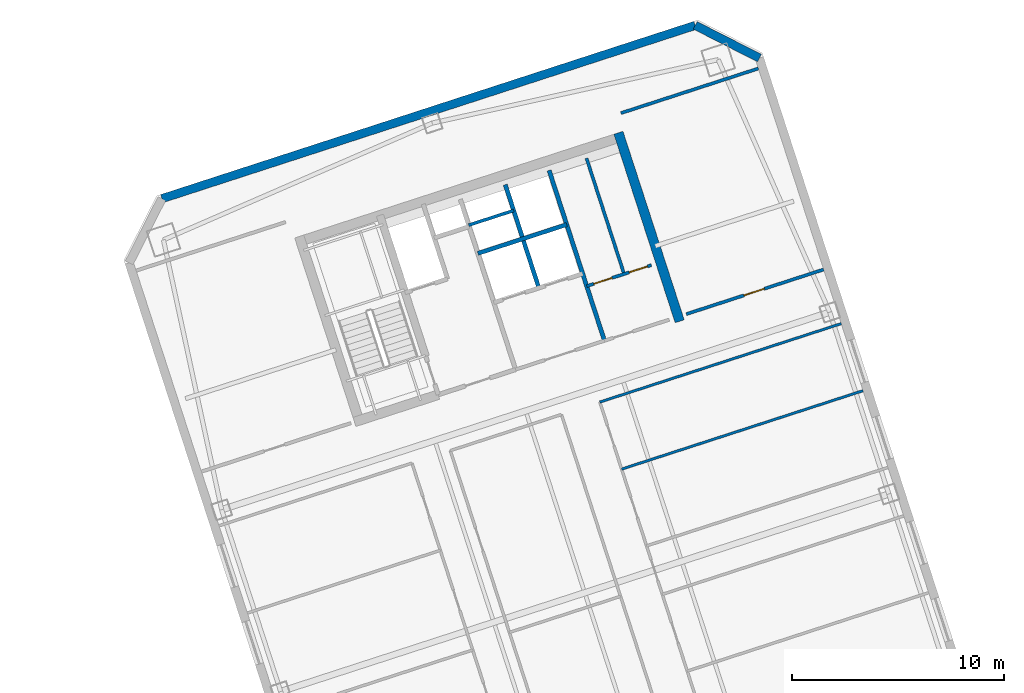
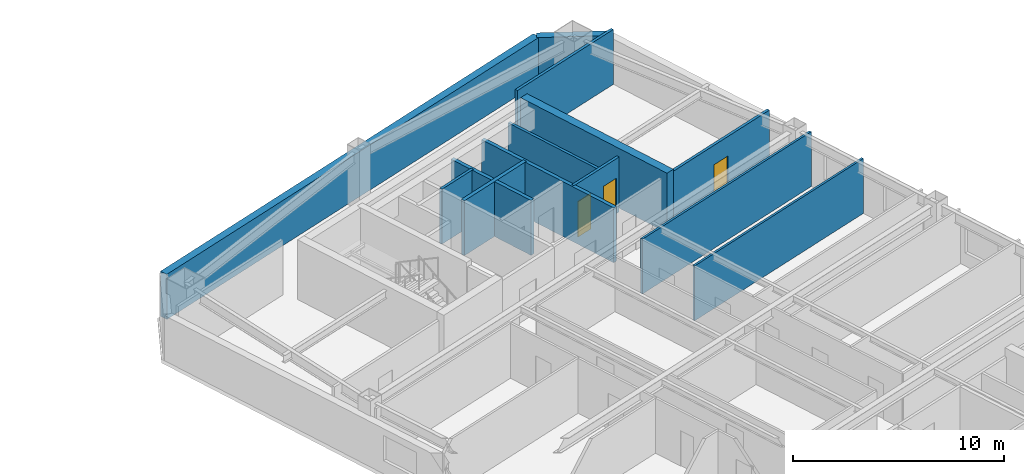
# One storey, part 10 of 13: 13 walls, 3 doors, 3 openings.
"""IFC4 building model written with IfcOpenShell, lengths in metres."""

from ifc_helpers import new_model, si_unit, direction, frame, frame_2d, origin, place, context, subcontext, project, spatial, rectangle, extrude, material, layer, layer_set, type_object, element, fill, save


model = new_model("IFC4")

# Units and contexts
model_context = context("Model", 3, precision=1e-05, world=origin(), true_north=direction((0.0, 1.0)))
body_context = subcontext(model_context, "Body", "Model", "MODEL_VIEW")
ifc_project = project(units=[si_unit("LENGTHUNIT", "METRE"), si_unit("AREAUNIT", "SQUARE_METRE"), si_unit("VOLUMEUNIT", "CUBIC_METRE"), si_unit("PLANEANGLEUNIT", "RADIAN"), si_unit("MASSUNIT", "GRAM", prefix="KILO")], contexts=[model_context])

# Site, building, storey
site_placement = place(None, origin())
site = spatial("IfcSite", under=ifc_project, at=site_placement, CompositionType="ELEMENT")
building_placement = place(site_placement, origin())
building = spatial("IfcBuilding", under=site, at=building_placement, Name="Qiaolan Cultural Towers", CompositionType="ELEMENT")
storey_placement = place(building_placement, frame((0.0, 0.0, 192.050048828125)))
storey = spatial("IfcBuildingStorey", under=building, at=storey_placement, Name="L51", CompositionType="ELEMENT", Elevation=192.050048828125)

# Walls
ifc_material_1 = material(Name="Concrete C50", Category="concrete")
ifc_layer_1 = layer(ifc_material_1, 0.449951171875)
ifc_layer_set_1 = layer_set([ifc_layer_1], Name="Concrete C50")
wall_type_1 = type_object("IfcWallType", Name="WL-CORE-450", PredefinedType="SHEAR", material=ifc_layer_set_1)
wall_1_placement = place(storey_placement, frame((94.468994140625, 46.781494140625, 0.0), z_axis=(0.0, 0.0, 1.0), x_axis=(-0.309004419953, 0.951060601881, 0.0)))
element("IfcWall", 1, at=wall_1_placement, inside=storey, type_object=wall_type_1, Name="L51 T2-CN East Core Shear Wall", PredefinedType="SHEAR", context=body_context, shape_type="SweptSolid", body=[
    extrude(rectangle(XDim=9.330078125, YDim=0.449951171875, at=frame_2d((4.6650390625, 0.0))), origin(), (0.0, 0.0, 1.0), 3.449951171875),
])
ifc_material_2 = material(Name="Precast Concrete C50 Honed Stone Pier", Category="masonry")
ifc_layer_2 = layer(ifc_material_2, 0.39990234375)
ifc_layer_set_2 = layer_set([ifc_layer_2], Name="Precast Concrete C50 Honed Stone Pier")
wall_type_2 = type_object("IfcWallType", Name="WL-EXT-PIER-400", PredefinedType="SOLIDWALL", material=ifc_layer_set_2)
wall_2_placement = place(storey_placement, frame((70.091552734375, 52.55615234375, 0.0), z_axis=(0.0, 0.0, 1.0), x_axis=(0.951057580055, 0.30901372044, 0.0)))
element("IfcWall", 2, at=wall_2_placement, inside=storey, type_object=wall_type_2, Name="L51 East Tower Precast Pier Facade Wall F3", PredefinedType="SOLIDWALL", context=body_context, shape_type="SweptSolid", body=[
    extrude(rectangle(XDim=26.39990234375, YDim=0.39990234375, at=frame_2d((13.199951171875, 0.0))), origin(), (0.0, 0.0, 1.0), 2.60986328125),
])
wall_3_placement = place(storey_placement, frame((95.199462890625, 60.714111328125, 0.0), z_axis=(0.0, 0.0, 1.0), x_axis=(0.891020832027, -0.453962417932, 0.0)))
element("IfcWall", 3, at=wall_3_placement, inside=storey, type_object=wall_type_2, Name="L51 East Tower Precast Pier Facade Wall F4", PredefinedType="SOLIDWALL", context=body_context, shape_type="SweptSolid", body=[
    extrude(rectangle(XDim=3.39404296875, YDim=0.39990234375, at=frame_2d((1.697021484375, 0.0))), origin(), (0.0, 0.0, 1.0), 2.60986328125),
])
ifc_material_3 = material(Name="Concrete C35 Fire Wall", Category="concrete")
ifc_layer_3 = layer(ifc_material_3, 0.199951171875)
ifc_layer_set_3 = layer_set([ifc_layer_3], Name="Concrete C35 Fire Wall")
wall_type_3 = type_object("IfcWallType", Name="WL-FIRE-200", PredefinedType="PARTITIONING", material=ifc_layer_set_3)
wall_4_placement = place(storey_placement, frame((90.92822265625, 45.86767578125, 0.0), z_axis=(0.0, 0.0, 1.0), x_axis=(-0.309042196757, 0.951048327176, 0.0)))
element("IfcWall", 4, at=wall_4_placement, inside=storey, type_object=wall_type_3, Name="L51 T2-CN Lift Core East Wall", PredefinedType="PARTITIONING", context=body_context, shape_type="SweptSolid", body=[
    extrude(rectangle(XDim=8.429931640625, YDim=0.199951171875, at=frame_2d((4.21484375, 0.0))), origin(), (0.0, 0.0, 1.0), 3.175048828125),
])
wall_5_placement = place(storey_placement, frame((87.83837890625, 48.3544921875, 0.0), z_axis=(0.0, 0.0, 1.0), x_axis=(-0.3090093719, 0.951058992953, 0.0)))
element("IfcWall", 5, at=wall_5_placement, inside=storey, type_object=wall_type_3, Name="L51 T2-CN Lift Shaft Divider Wall", PredefinedType="PARTITIONING", context=body_context, shape_type="SweptSolid", body=[
    extrude(rectangle(XDim=5.110107421875, YDim=0.199951171875, at=frame_2d((2.55517578125, 0.0))), origin(), (0.0, 0.0, 1.0), 3.175048828125),
])
wall_6_placement = place(storey_placement, frame((84.966552734375, 49.9765625, 0.0), z_axis=(0.0, 0.0, 1.0), x_axis=(0.951063829732, 0.308994485023, 0.0)))
element("IfcWall", 6, at=wall_6_placement, inside=storey, type_object=wall_type_3, Name="L51 T2-CN Passenger Lift Shaft Back Wall", PredefinedType="PARTITIONING", context=body_context, shape_type="SweptSolid", body=[
    extrude(rectangle(XDim=4.400146484375, YDim=0.199951171875, at=frame_2d((2.2001953125, 0.0))), origin(), (0.0, 0.0, 1.0), 3.175048828125),
])
ifc_material_4 = material(Name="Gypsum Stud Acoustic Partition", Category="gypsum")
ifc_layer_4 = layer(ifc_material_4, 0.1201171875)
ifc_layer_set_4 = layer_set([ifc_layer_4], Name="Gypsum Stud Acoustic Partition")
wall_type_4 = type_object("IfcWallType", Name="WL-PART-120", PredefinedType="PARTITIONING", material=ifc_layer_set_4)
for number, where, z_axis, x_axis, name in (
    (7, (90.710205078125, 42.97900390625, 0.0), (0.0, 0.0, 1.0), (0.95105853842, 0.309010770845, 0.0), "L51 T2 Interior Wall"),
    (8, (91.736083984375, 39.8212890625, 0.0), (0.0, 0.0, 1.0), (0.951052534024, 0.309029250277, 0.0), "L51 T2 Interior Wall"),
):
    element("IfcWall", number, at=place(storey_placement, frame(where, z_axis=z_axis, x_axis=x_axis)), inside=storey, type_object=wall_type_4, Name=name, PredefinedType="PARTITIONING", context=body_context, shape_type="SweptSolid", body=[
        extrude(rectangle(XDim=11.949951171875, YDim=0.1201171875, at=frame_2d((5.97509765625, 0.0))), origin(), (0.0, 0.0, 1.0), 3.175048828125),
    ])
ifc_material_5 = material(Name="Autoclaved Aerated Concrete Block B06", Category="concrete")
ifc_layer_5 = layer(ifc_material_5, 0.14990234375)
ifc_layer_set_5 = layer_set([ifc_layer_5], Name="Autoclaved Aerated Concrete Block B06")
wall_type_5 = type_object("IfcWallType", Name="WL-PART-150", PredefinedType="PARTITIONING", material=ifc_layer_set_5)
wall_7_placement = place(storey_placement, frame((84.533935546875, 51.30810546875, 0.0), z_axis=(0.0, 0.0, 1.0), x_axis=(0.951075093106, 0.308959814982, 0.0)))
element("IfcWall", 9, at=wall_7_placement, inside=storey, type_object=wall_type_5, Name="L51 T2-CN Core Rear Riser Split", PredefinedType="PARTITIONING", context=body_context, shape_type="SweptSolid", body=[
    extrude(rectangle(XDim=2.22998046875, YDim=0.14990234375, at=frame_2d((1.114990234375, 0.0))), origin(), (0.0, 0.0, 1.0), 3.175048828125),
])

# Wall, openings, doors
wall_8_placement = place(storey_placement, frame((90.09375, 48.435546875, 0.0), z_axis=(0.0, 0.0, 1.0), x_axis=(0.951066581729, 0.308986014439, 0.0)))
wall_8 = element("IfcWall", 10, at=wall_8_placement, inside=storey, type_object=wall_type_5, Name="L51 T2-CN Restroom Vestibule Wall", PredefinedType="PARTITIONING", context=body_context, shape_type="SweptSolid", body=[
    extrude(rectangle(XDim=3.199951171875, YDim=0.14990234375, at=frame_2d((1.60009765625, 0.0))), origin(), (0.0, 0.0, 1.0), 3.175048828125),
])
opening_1_placement = place(wall_8_placement, frame((0.35009765625, 0.0, 0.0)))
opening_1 = element("IfcOpeningElement", 11, at=opening_1_placement, cuts=wall_8, Name="Opening ID-06", PredefinedType="OPENING", context=body_context, shape_type="SweptSolid", body=[
    extrude(rectangle(XDim=0.89990234375, YDim=2.050048828125, at=frame_2d((0.449951171875, 1.02490234375))), frame((0.0, 0.0849609375, 0.0), z_axis=(0.0, -1.0, 0.0), x_axis=(1.0, 0.0, 0.0)), (0.0, 0.0, 1.0), 0.169921875),
])
opening_2_placement = place(wall_8_placement, frame((2.10009765625, 0.0, 0.0)))
opening_2 = element("IfcOpeningElement", 12, at=opening_2_placement, cuts=wall_8, Name="Opening ID-06", PredefinedType="OPENING", context=body_context, shape_type="SweptSolid", body=[
    extrude(rectangle(XDim=0.89990234375, YDim=2.050048828125, at=frame_2d((0.449951171875, 1.02490234375))), frame((0.0, 0.0849609375, 0.0), z_axis=(0.0, -1.0, 0.0), x_axis=(1.0, 0.0, 0.0)), (0.0, 0.0, 1.0), 0.169921875),
])
ifc_material_6 = material(Name="Fire-Rated Laminate Core Service Door", Category="timber")
door_type_1 = type_object("IfcDoorType", Name="DR-INT-900", OperationType="NOTDEFINED", PredefinedType="DOOR", material=ifc_material_6)
door_1_placement = place(opening_1_placement, origin())
door_1 = element("IfcDoor", 13, at=door_1_placement, inside=storey, type_object=door_type_1, Name="L51 Men Restroom Door", OperationType="SINGLE_SWING_LEFT", OverallHeight=2.050048828125, OverallWidth=0.89990234375, PredefinedType="DOOR", context=body_context, shape_type="SweptSolid", body=[
    extrude(rectangle(XDim=0.89990234375, YDim=2.050048828125, at=frame_2d((0.449951171875, 1.02490234375))), frame((0.0, 0.02490234375, 0.0), z_axis=(0.0, -1.0, 0.0), x_axis=(1.0, 0.0, 0.0)), (0.0, 0.0, 1.0), 0.050048828125),
])
fill(opening_1, door_1)
door_2_placement = place(opening_2_placement, origin())
door_2 = element("IfcDoor", 14, at=door_2_placement, inside=storey, type_object=door_type_1, Name="L51 Accessible & Women Restroom Door", OperationType="SINGLE_SWING_RIGHT", OverallHeight=2.050048828125, OverallWidth=0.89990234375, PredefinedType="DOOR", context=body_context, shape_type="SweptSolid", body=[
    extrude(rectangle(XDim=0.89990234375, YDim=2.050048828125, at=frame_2d((0.449951171875, 1.02490234375))), frame((0.0, 0.02490234375, 0.0), z_axis=(0.0, -1.0, 0.0), x_axis=(1.0, 0.0, 0.0)), (0.0, 0.0, 1.0), 0.050048828125),
])
fill(opening_2, door_2)

# Walls
wall_9_placement = place(storey_placement, frame((91.853271484375, 49.007080078125, 0.0), z_axis=(0.0, 0.0, 1.0), x_axis=(-0.309022487551, 0.951054731437, 0.0)))
element("IfcWall", 15, at=wall_9_placement, inside=storey, type_object=wall_type_5, Name="L51 T2-CN Restroom Divider Wall", PredefinedType="PARTITIONING", context=body_context, shape_type="SweptSolid", body=[
    extrude(rectangle(XDim=5.730224609375, YDim=0.14990234375, at=frame_2d((2.865234375, 0.0))), origin(), (0.0, 0.0, 1.0), 3.175048828125),
])
wall_10_placement = place(storey_placement, frame((91.705078125, 56.582275390625, 0.0), z_axis=(0.0, 0.0, 1.0), x_axis=(0.951057811516, 0.309013008068, 0.0)))
element("IfcWall", 16, at=wall_10_placement, inside=storey, type_object=wall_type_5, Name="L51 T2 Flank Wall FLK-NE", PredefinedType="PARTITIONING", context=body_context, shape_type="SweptSolid", body=[
    extrude(rectangle(XDim=6.800048828125, YDim=0.14990234375, at=frame_2d((3.39990234375, 0.0))), origin(), (0.0, 0.0, 1.0), 3.175048828125),
])

# Wall, opening, door
wall_11_placement = place(storey_placement, frame((94.77978515625, 47.119140625, 0.0), z_axis=(0.0, 0.0, 1.0), x_axis=(0.951057811516, 0.309013008068, 0.0)))
wall_11 = element("IfcWall", 17, at=wall_11_placement, inside=storey, type_object=wall_type_5, Name="L51 T2 Flank Front FLK-NE", PredefinedType="PARTITIONING", context=body_context, shape_type="SweptSolid", body=[
    extrude(rectangle(XDim=6.800048828125, YDim=0.14990234375, at=frame_2d((3.39990234375, 0.0))), origin(), (0.0, 0.0, 1.0), 3.175048828125),
])
opening_3_placement = place(wall_11_placement, frame((2.85595703125, 0.0, 0.0)))
opening_3 = element("IfcOpeningElement", 18, at=opening_3_placement, cuts=wall_11, Name="Opening ID-04", PredefinedType="OPENING", context=body_context, shape_type="SweptSolid", body=[
    extrude(rectangle(XDim=1.0, YDim=2.050048828125, at=frame_2d((0.5, 1.02490234375))), frame((0.0, 0.0849609375, 0.0), z_axis=(0.0, -1.0, 0.0), x_axis=(1.0, 0.0, 0.0)), (0.0, 0.0, 1.0), 0.169921875),
])
ifc_material_7 = material(Name="Oak Veneer Acoustic Office Door", Category="timber")
door_type_2 = type_object("IfcDoorType", Name="DR-INT-1000", OperationType="NOTDEFINED", PredefinedType="DOOR", material=ifc_material_7)
door_3_placement = place(opening_3_placement, origin())
door_3 = element("IfcDoor", 19, at=door_3_placement, inside=storey, type_object=door_type_2, Name="L51 T2 Corner Studio Door", OperationType="SINGLE_SWING_LEFT", OverallHeight=2.050048828125, OverallWidth=1.0, PredefinedType="DOOR", context=body_context, shape_type="SweptSolid", body=[
    extrude(rectangle(XDim=1.0, YDim=2.050048828125, at=frame_2d((0.5, 1.02490234375))), frame((0.0, 0.02490234375, 0.0), z_axis=(0.0, -1.0, 0.0), x_axis=(1.0, 0.0, 0.0)), (0.0, 0.0, 1.0), 0.050048828125),
])
fill(opening_3, door_3)

save(model, "model.ifc")
